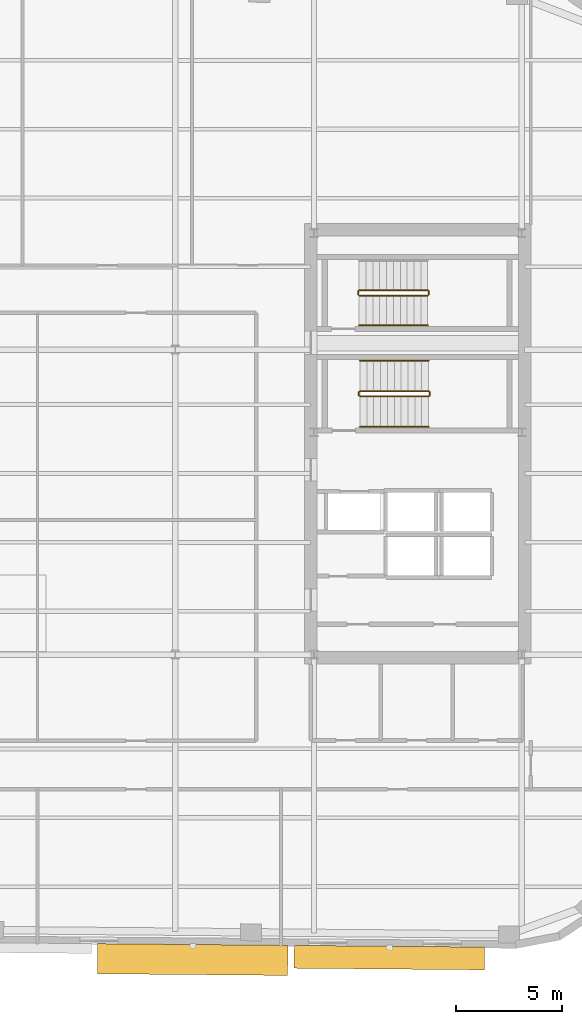
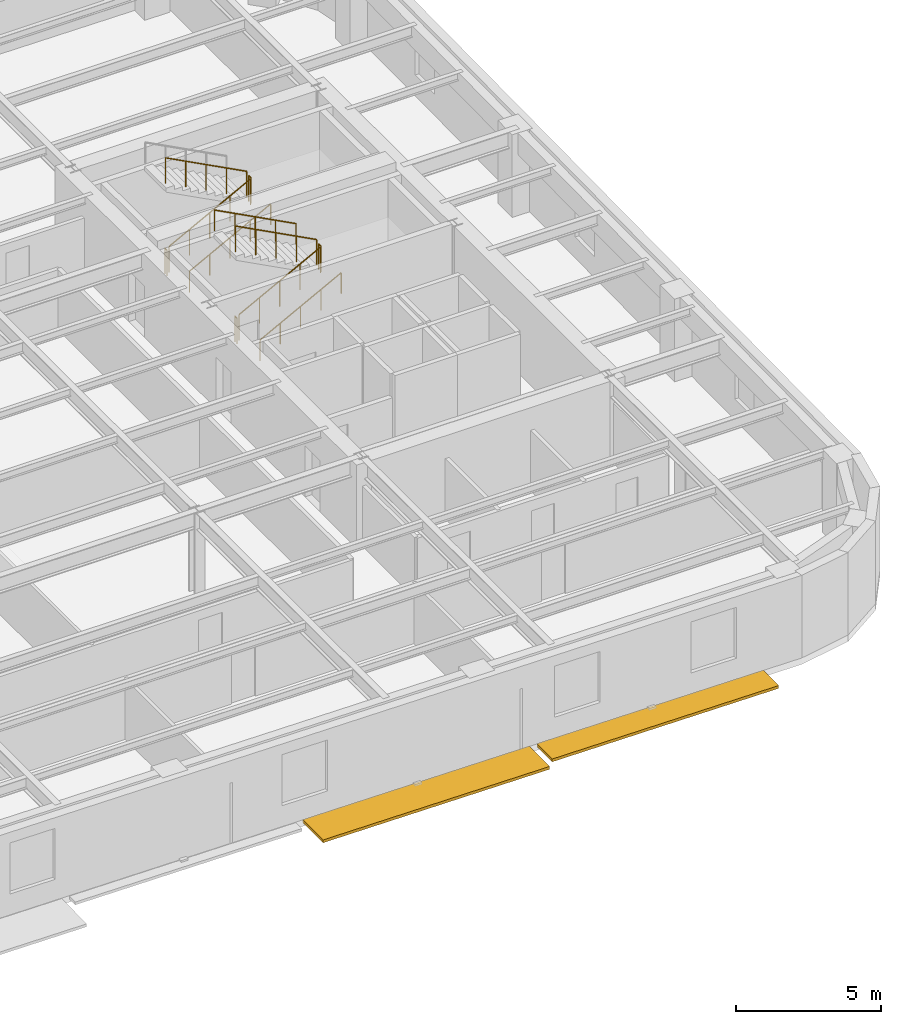
# One storey, part 10 of 11: 11 railings, 2 shading devices.
"""IFC4 building model written with IfcOpenShell, lengths in metres."""

from ifc_helpers import new_model, si_unit, direction, frame, origin, origin_2d, place, context, subcontext, project, spatial, rectangle, circle, extrude, material, type_object, element, save


model = new_model("IFC4")

# Units and contexts
model_context = context("Model", 3, precision=1e-05, world=origin(), true_north=direction((0.0, 1.0)))
body_context = subcontext(model_context, "Body", "Model", "MODEL_VIEW")
ifc_project = project(units=[si_unit("LENGTHUNIT", "METRE"), si_unit("AREAUNIT", "SQUARE_METRE"), si_unit("VOLUMEUNIT", "CUBIC_METRE"), si_unit("PLANEANGLEUNIT", "RADIAN"), si_unit("MASSUNIT", "GRAM", prefix="KILO")], contexts=[model_context])

# Site, building, storey
site_placement = place(None, origin())
site = spatial("IfcSite", under=ifc_project, at=site_placement, CompositionType="ELEMENT")
building_placement = place(site_placement, origin())
building = spatial("IfcBuilding", under=site, at=building_placement, Name="Kolvaren Arena Tower", CompositionType="ELEMENT")
storey_placement = place(building_placement, frame((0.0, 0.0, 203.449951171875)))
storey = spatial("IfcBuildingStorey", under=building, at=storey_placement, Name="L49", CompositionType="ELEMENT", Elevation=203.449951171875)

# Railings
ifc_material_1 = material(Name="Painted galvanized steel", Category="steel")
railing_type_1 = type_object("IfcRailingType", Name="GUARD-ST-110", PredefinedType="GUARDRAIL", material=ifc_material_1)
railing_1_placement = place(storey_placement, frame((52.719970703125, 31.639892578125, 0.17041015625)))
element("IfcRailing", 1, at=railing_1_placement, inside=storey, type_object=railing_type_1, Name="L49 ST-E1 stair guard 1", PredefinedType="GUARDRAIL", context=body_context, shape_type="SweptSolid", body=[
    extrude(circle(Radius=0.02392578125, at=origin_2d()), frame((0.0, 0.0, 1.076171875), z_axis=(0.884993431791, 0.0, 0.465603506952), x_axis=(0.0, 1.0, 0.0)), (0.0, 0.0, 1.0), 3.6611328125),
    extrude(circle(Radius=0.02099609375, at=origin_2d()), origin(), (0.0, 0.0, 1.0), 1.052001953125),
    extrude(circle(Radius=0.02099609375, at=origin_2d()), frame((0.81005859375, 0.0, 0.42626953125)), (0.0, 0.0, 1.0), 1.052001953125),
    extrude(circle(Radius=0.02099609375, at=origin_2d()), frame((1.6201171875, 0.0, 0.852294921875)), (0.0, 0.0, 1.0), 1.052001953125),
    extrude(circle(Radius=0.02099609375, at=origin_2d()), frame((2.429931640625, 0.0, 1.2783203125)), (0.0, 0.0, 1.0), 1.052001953125),
    extrude(circle(Radius=0.02099609375, at=origin_2d()), frame((3.239990234375, 0.0, 1.70458984375)), (0.0, 0.0, 1.0), 1.052001953125),
])
railing_2_placement = place(storey_placement, frame((56.010009765625, 31.68994140625, 1.875)))
element("IfcRailing", 2, at=railing_2_placement, inside=storey, type_object=railing_type_1, Name="L49 ST-E1 stair guard 2", PredefinedType="GUARDRAIL", context=body_context, shape_type="SweptSolid", body=[
    extrude(circle(Radius=0.02392578125, at=origin_2d()), frame((0.0, 0.0, 1.076171875), z_axis=(0.0, 1.0, 0.0), x_axis=(-1.0, 0.0, 0.0)), (0.0, 0.0, 1.0), 0.150146484375),
    extrude(circle(Radius=0.02099609375, at=origin_2d()), origin(), (0.0, 0.0, 1.0), 1.052001953125),
    extrude(circle(Radius=0.02099609375, at=origin_2d()), frame((0.0, 0.150146484375, 0.0)), (0.0, 0.0, 1.0), 1.052001953125),
])
railing_3_placement = place(storey_placement, frame((55.9599609375, 31.889892578125, 2.04541015625)))
element("IfcRailing", 3, at=railing_3_placement, inside=storey, type_object=railing_type_1, Name="L49 ST-E1 stair guard 3", PredefinedType="GUARDRAIL", context=body_context, shape_type="SweptSolid", body=[
    extrude(circle(Radius=0.02392578125, at=origin_2d()), frame((0.0, 0.0, 1.076171875), z_axis=(-0.884993431791, 0.0, 0.465603506952), x_axis=(0.0, -1.0, 0.0)), (0.0, 0.0, 1.0), 3.6611328125),
    extrude(circle(Radius=0.02099609375, at=origin_2d()), origin(), (0.0, 0.0, 1.0), 1.052001953125),
    extrude(circle(Radius=0.02099609375, at=origin_2d()), frame((-0.81005859375, 0.0, 0.42626953125)), (0.0, 0.0, 1.0), 1.052001953125),
    extrude(circle(Radius=0.02099609375, at=origin_2d()), frame((-1.6201171875, 0.0, 0.852294921875)), (0.0, 0.0, 1.0), 1.052001953125),
    extrude(circle(Radius=0.02099609375, at=origin_2d()), frame((-2.429931640625, 0.0, 1.2783203125)), (0.0, 0.0, 1.0), 1.052001953125),
    extrude(circle(Radius=0.02099609375, at=origin_2d()), frame((-3.239990234375, 0.0, 1.70458984375)), (0.0, 0.0, 1.0), 1.052001953125),
])
railing_4_placement = place(storey_placement, frame((52.669921875, 31.68994140625, 0.0)))
element("IfcRailing", 4, at=railing_4_placement, inside=storey, type_object=railing_type_1, Name="L49 ST-E1 stair guard 4", PredefinedType="GUARDRAIL", context=body_context, shape_type="SweptSolid", body=[
    extrude(circle(Radius=0.02392578125, at=origin_2d()), frame((0.0, 0.0, 1.076171875), z_axis=(0.0, 1.0, 0.0), x_axis=(-1.0, 0.0, 0.0)), (0.0, 0.0, 1.0), 0.150146484375),
    extrude(circle(Radius=0.02099609375, at=origin_2d()), origin(), (0.0, 0.0, 1.0), 1.052001953125),
    extrude(circle(Radius=0.02099609375, at=origin_2d()), frame((0.0, 0.150146484375, 0.0)), (0.0, 0.0, 1.0), 1.052001953125),
])
railing_5_placement = place(storey_placement, frame((52.679931640625, 36.39990234375, 0.17041015625)))
element("IfcRailing", 5, at=railing_5_placement, inside=storey, type_object=railing_type_1, Name="L49 ST-E2 stair guard 1", PredefinedType="GUARDRAIL", context=body_context, shape_type="SweptSolid", body=[
    extrude(circle(Radius=0.02392578125, at=origin_2d()), frame((0.0, 0.0, 1.076171875), z_axis=(0.884993431791, 0.0, 0.465603506952), x_axis=(0.0, 1.0, 0.0)), (0.0, 0.0, 1.0), 3.6611328125),
    extrude(circle(Radius=0.02099609375, at=origin_2d()), origin(), (0.0, 0.0, 1.0), 1.052001953125),
    extrude(circle(Radius=0.02099609375, at=origin_2d()), frame((0.81005859375, 0.0, 0.42626953125)), (0.0, 0.0, 1.0), 1.052001953125),
    extrude(circle(Radius=0.02099609375, at=origin_2d()), frame((1.6201171875, 0.0, 0.852294921875)), (0.0, 0.0, 1.0), 1.052001953125),
    extrude(circle(Radius=0.02099609375, at=origin_2d()), frame((2.429931640625, 0.0, 1.2783203125)), (0.0, 0.0, 1.0), 1.052001953125),
    extrude(circle(Radius=0.02099609375, at=origin_2d()), frame((3.239990234375, 0.0, 1.70458984375)), (0.0, 0.0, 1.0), 1.052001953125),
])
railing_6_placement = place(storey_placement, frame((55.969970703125, 36.449951171875, 1.875)))
element("IfcRailing", 6, at=railing_6_placement, inside=storey, type_object=railing_type_1, Name="L49 ST-E2 stair guard 2", PredefinedType="GUARDRAIL", context=body_context, shape_type="SweptSolid", body=[
    extrude(circle(Radius=0.02392578125, at=origin_2d()), frame((0.0, 0.0, 1.076171875), z_axis=(0.0, 1.0, 0.0), x_axis=(-1.0, 0.0, 0.0)), (0.0, 0.0, 1.0), 0.150146484375),
    extrude(circle(Radius=0.02099609375, at=origin_2d()), origin(), (0.0, 0.0, 1.0), 1.052001953125),
    extrude(circle(Radius=0.02099609375, at=origin_2d()), frame((0.0, 0.150146484375, 0.0)), (0.0, 0.0, 1.0), 1.052001953125),
])
railing_7_placement = place(storey_placement, frame((55.919921875, 36.64990234375, 2.04541015625)))
element("IfcRailing", 7, at=railing_7_placement, inside=storey, type_object=railing_type_1, Name="L49 ST-E2 stair guard 3", PredefinedType="GUARDRAIL", context=body_context, shape_type="SweptSolid", body=[
    extrude(circle(Radius=0.02392578125, at=origin_2d()), frame((0.0, 0.0, 1.076171875), z_axis=(-0.884993431791, 0.0, 0.465603506952), x_axis=(0.0, -1.0, 0.0)), (0.0, 0.0, 1.0), 3.6611328125),
    extrude(circle(Radius=0.02099609375, at=origin_2d()), origin(), (0.0, 0.0, 1.0), 1.052001953125),
    extrude(circle(Radius=0.02099609375, at=origin_2d()), frame((-0.81005859375, 0.0, 0.42626953125)), (0.0, 0.0, 1.0), 1.052001953125),
    extrude(circle(Radius=0.02099609375, at=origin_2d()), frame((-1.6201171875, 0.0, 0.852294921875)), (0.0, 0.0, 1.0), 1.052001953125),
    extrude(circle(Radius=0.02099609375, at=origin_2d()), frame((-2.429931640625, 0.0, 1.2783203125)), (0.0, 0.0, 1.0), 1.052001953125),
    extrude(circle(Radius=0.02099609375, at=origin_2d()), frame((-3.239990234375, 0.0, 1.70458984375)), (0.0, 0.0, 1.0), 1.052001953125),
])
railing_8_placement = place(storey_placement, frame((52.6298828125, 36.449951171875, 0.0)))
element("IfcRailing", 8, at=railing_8_placement, inside=storey, type_object=railing_type_1, Name="L49 ST-E2 stair guard 4", PredefinedType="GUARDRAIL", context=body_context, shape_type="SweptSolid", body=[
    extrude(circle(Radius=0.02392578125, at=origin_2d()), frame((0.0, 0.0, 1.076171875), z_axis=(0.0, 1.0, 0.0), x_axis=(-1.0, 0.0, 0.0)), (0.0, 0.0, 1.0), 0.150146484375),
    extrude(circle(Radius=0.02099609375, at=origin_2d()), origin(), (0.0, 0.0, 1.0), 1.052001953125),
    extrude(circle(Radius=0.02099609375, at=origin_2d()), frame((0.0, 0.150146484375, 0.0)), (0.0, 0.0, 1.0), 1.052001953125),
])
ifc_material_2 = material(Name="Brushed stainless steel handrail", Category="steel")
railing_type_2 = type_object("IfcRailingType", Name="HRAIL-900", PredefinedType="HANDRAIL", material=ifc_material_2)
railing_9_placement = place(storey_placement, frame((52.719970703125, 30.199951171875, 0.17041015625)))
element("IfcRailing", 9, at=railing_9_placement, inside=storey, type_object=railing_type_2, Name="L49 ST-E1 stair handrail 1", PredefinedType="HANDRAIL", context=body_context, shape_type="SweptSolid", body=[
    extrude(circle(Radius=0.02392578125, at=origin_2d()), frame((0.0, 0.0, 0.8759765625), z_axis=(0.884993431791, 0.0, 0.465603506952), x_axis=(0.0, 1.0, 0.0)), (0.0, 0.0, 1.0), 3.6611328125),
    extrude(circle(Radius=0.02099609375, at=origin_2d()), origin(), (0.0, 0.0, 1.0), 0.851806640625),
    extrude(circle(Radius=0.02099609375, at=origin_2d()), frame((0.81005859375, 0.0, 0.42626953125)), (0.0, 0.0, 1.0), 0.851806640625),
    extrude(circle(Radius=0.02099609375, at=origin_2d()), frame((1.6201171875, 0.0, 0.852294921875)), (0.0, 0.0, 1.0), 0.851806640625),
    extrude(circle(Radius=0.02099609375, at=origin_2d()), frame((2.429931640625, 0.0, 1.2783203125)), (0.0, 0.0, 1.0), 0.851806640625),
    extrude(circle(Radius=0.02099609375, at=origin_2d()), frame((3.239990234375, 0.0, 1.70458984375)), (0.0, 0.0, 1.0), 0.851806640625),
])
railing_10_placement = place(storey_placement, frame((55.9599609375, 33.330078125, 2.04541015625)))
element("IfcRailing", 10, at=railing_10_placement, inside=storey, type_object=railing_type_2, Name="L49 ST-E1 stair handrail 2", PredefinedType="HANDRAIL", context=body_context, shape_type="SweptSolid", body=[
    extrude(circle(Radius=0.02392578125, at=origin_2d()), frame((0.0, 0.0, 0.8759765625), z_axis=(-0.884993431791, 0.0, 0.465603506952), x_axis=(0.0, -1.0, 0.0)), (0.0, 0.0, 1.0), 3.6611328125),
    extrude(circle(Radius=0.02099609375, at=origin_2d()), origin(), (0.0, 0.0, 1.0), 0.851806640625),
    extrude(circle(Radius=0.02099609375, at=origin_2d()), frame((-0.81005859375, 0.0, 0.42626953125)), (0.0, 0.0, 1.0), 0.851806640625),
    extrude(circle(Radius=0.02099609375, at=origin_2d()), frame((-1.6201171875, 0.0, 0.852294921875)), (0.0, 0.0, 1.0), 0.851806640625),
    extrude(circle(Radius=0.02099609375, at=origin_2d()), frame((-2.429931640625, 0.0, 1.2783203125)), (0.0, 0.0, 1.0), 0.851806640625),
    extrude(circle(Radius=0.02099609375, at=origin_2d()), frame((-3.239990234375, 0.0, 1.70458984375)), (0.0, 0.0, 1.0), 0.851806640625),
])
railing_11_placement = place(storey_placement, frame((52.679931640625, 35.0, 0.17041015625)))
element("IfcRailing", 11, at=railing_11_placement, inside=storey, type_object=railing_type_2, Name="L49 ST-E2 stair handrail 1", PredefinedType="HANDRAIL", context=body_context, shape_type="SweptSolid", body=[
    extrude(circle(Radius=0.02392578125, at=origin_2d()), frame((0.0, 0.0, 0.8759765625), z_axis=(0.884993431791, 0.0, 0.465603506952), x_axis=(0.0, 1.0, 0.0)), (0.0, 0.0, 1.0), 3.6611328125),
    extrude(circle(Radius=0.02099609375, at=origin_2d()), origin(), (0.0, 0.0, 1.0), 0.851806640625),
    extrude(circle(Radius=0.02099609375, at=origin_2d()), frame((0.81005859375, 0.0, 0.42626953125)), (0.0, 0.0, 1.0), 0.851806640625),
    extrude(circle(Radius=0.02099609375, at=origin_2d()), frame((1.6201171875, 0.0, 0.852294921875)), (0.0, 0.0, 1.0), 0.851806640625),
    extrude(circle(Radius=0.02099609375, at=origin_2d()), frame((2.429931640625, 0.0, 1.2783203125)), (0.0, 0.0, 1.0), 0.851806640625),
    extrude(circle(Radius=0.02099609375, at=origin_2d()), frame((3.239990234375, 0.0, 1.70458984375)), (0.0, 0.0, 1.0), 0.851806640625),
])

# Shading devices
ifc_material_3 = material(Name="Architectural precast GFRC and anodised aluminium sunshade", Category="concrete")
shading_device_type_1 = type_object("IfcShadingDeviceType", Name="SHAD-SINE-A", PredefinedType="USERDEFINED", material=ifc_material_3)
shading_device_1_placement = place(storey_placement, frame((54.106201171875, 5.148681640625, -0.139892578125), z_axis=(0.0, 0.0, 1.0), x_axis=(-0.999961923064, 0.008726535498, 0.0)))
element("IfcShadingDevice", 12, at=shading_device_1_placement, inside=storey, type_object=shading_device_type_1, Name="Sinusoidal Slab-Edge Sunshade Louvre (L49)", ObjectType="LOUVRE", PredefinedType="USERDEFINED", context=body_context, shape_type="SweptSolid", body=[
    extrude(rectangle(XDim=8.97998046875, YDim=1.077880859375, at=origin_2d()), origin(), (0.0, 0.0, 1.0), 0.1201171875),
])
shading_device_type_2 = type_object("IfcShadingDeviceType", Name="SHAD-SINE-B", PredefinedType="JALOUSIE", material=ifc_material_3)
shading_device_2_placement = place(storey_placement, frame((44.824951171875, 5.0576171875, -0.139892578125), z_axis=(0.0, 0.0, 1.0), x_axis=(-0.999961923064, 0.008726535498, 0.0)))
element("IfcShadingDevice", 13, at=shading_device_2_placement, inside=storey, type_object=shading_device_type_2, Name="Sinusoidal Slab-Edge Sunshade Louvre (L49)", PredefinedType="JALOUSIE", context=body_context, shape_type="SweptSolid", body=[
    extrude(rectangle(XDim=8.97998046875, YDim=1.421875, at=origin_2d()), origin(), (0.0, 0.0, 1.0), 0.1201171875),
])

save(model, "model.ifc")
